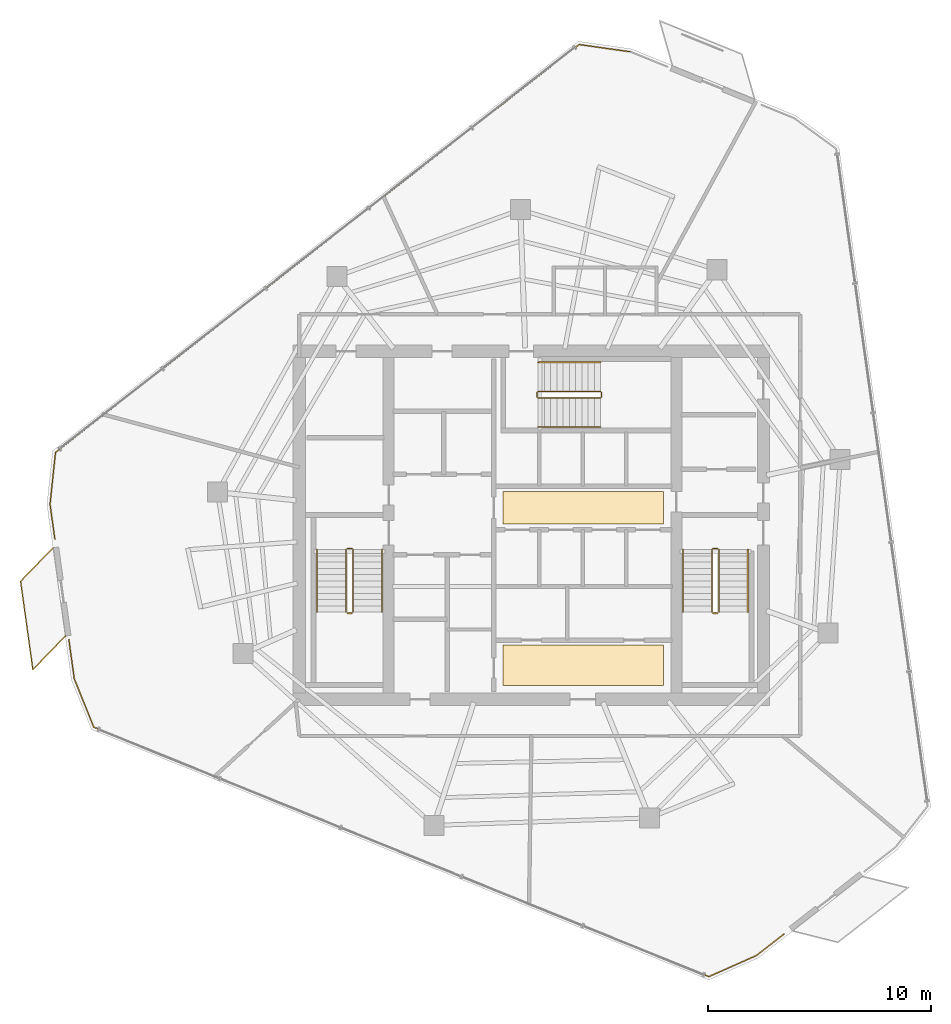
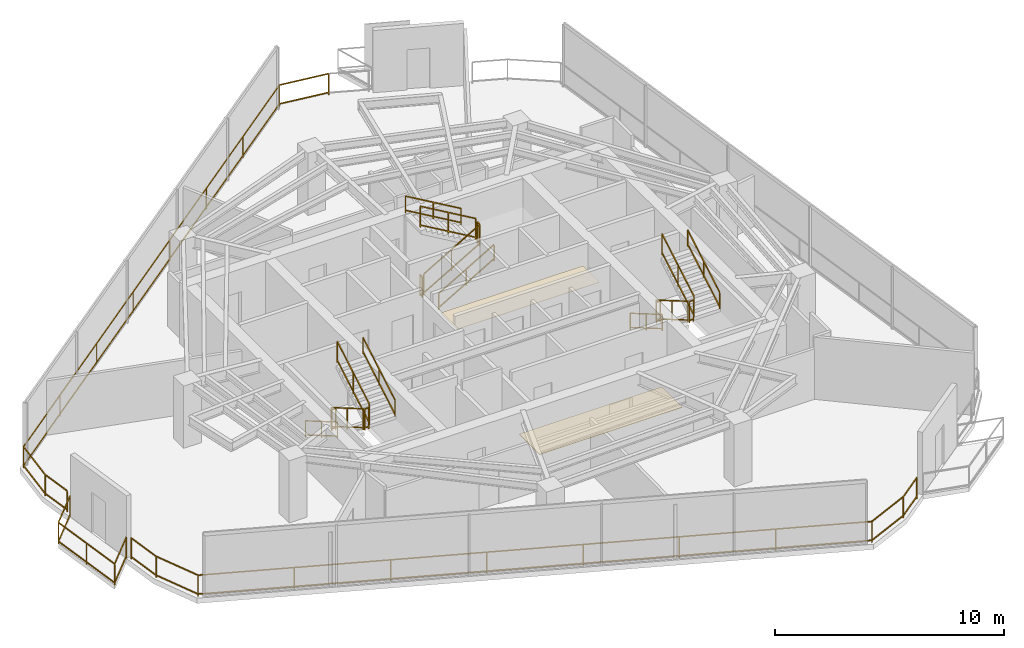
# One storey, part 18 of 19: 21 railings, 2 coverings.
"""IFC4 building model written with IfcOpenShell, lengths in metres."""

import ifcopenshell
import ifcopenshell.guid

model = None  # the IFC model being written
_history = None  # IfcOwnerHistory: only IFC2X3 demands one
_inside = {}  # id of a spatial element -> (the spatial element, [elements in it])
_under = {}  # id of a project, library or spatial element -> (it, [spatial elements below it])
_declared = {}  # id of a project -> (the project, [libraries it declares])
_typed = {}  # id of a type object -> (the type object, [elements of that type])
_made_of = {}  # id of a material, layer set ... -> (it, [elements and type objects made of it])


def new_model(schema):
    """Start an empty IFC model of exactly this schema.

    Asked for "IFC4X3", IfcOpenShell would pick the latest addendum, in which some entities
    have other attributes; the version numbers below select the first issue.
    IFC2X3 requires an IfcOwnerHistory on every rooted entity: one is made here for all.
    """
    global model, _history
    if schema == "IFC4X3":
        model = ifcopenshell.file(schema_version=(4, 3, 0, 0))
    else:
        model = ifcopenshell.file(schema=schema)
    _inside.clear()
    _under.clear()
    _declared.clear()
    _typed.clear()
    _made_of.clear()
    _history = None
    if model.schema == "IFC2X3":
        org = make("IfcOrganization", Name="unknown")
        user = make(
            "IfcPersonAndOrganization",
            ThePerson=make("IfcPerson", FamilyName="unknown"),
            TheOrganization=org,
        )
        app = make(
            "IfcApplication",
            ApplicationDeveloper=org,
            Version="unknown",
            ApplicationFullName="unknown",
            ApplicationIdentifier="unknown",
        )
        _history = make(
            "IfcOwnerHistory",
            OwningUser=user,
            OwningApplication=app,
            ChangeAction="ADDED",
            CreationDate=0,
        )
    return model


def make(cls, **values):
    """One entity of the class cls with the attributes given. An attribute that is None is left unset."""
    return model.create_entity(
        cls, **{name: value for name, value in values.items() if value is not None}
    )


def rooted(cls, **values):
    """An entity with a GlobalId (a new one), such as an element, a storey or a relation."""
    return make(cls, GlobalId=ifcopenshell.guid.new(), OwnerHistory=_history, **values)


def si_unit(unit_type, name, prefix=None):
    """IfcSIUnit, for example si_unit("LENGTHUNIT", "METRE", prefix="MILLI")."""
    return make("IfcSIUnit", UnitType=unit_type, Prefix=prefix, Name=name)


def assignment(units):
    """IfcUnitAssignment: the units of a project."""
    return None if units is None else make("IfcUnitAssignment", Units=units)


def point(xyz):
    """IfcCartesianPoint."""
    return None if xyz is None else make("IfcCartesianPoint", Coordinates=xyz)


def direction(xyz):
    """IfcDirection."""
    return None if xyz is None else make("IfcDirection", DirectionRatios=xyz)


def frame(location, z_axis=None, x_axis=None):
    """IfcAxis2Placement3D, a coordinate frame: its origin and axes. An axis left out is left unset."""
    return make(
        "IfcAxis2Placement3D",
        Location=point(location),
        Axis=direction(z_axis),
        RefDirection=direction(x_axis),
    )


def frame_2d(location, x_axis=None):
    """IfcAxis2Placement2D, a coordinate frame in the plane: its origin and x axis."""
    return make(
        "IfcAxis2Placement2D", Location=point(location), RefDirection=direction(x_axis)
    )


def origin():
    """The frame at (0, 0, 0) with its axes left unset."""
    return frame((0.0, 0.0, 0.0))


def origin_2d():
    """The frame at (0, 0) in the plane with its x axis left unset."""
    return frame_2d((0.0, 0.0))


def place(relative_to, where):
    """IfcLocalPlacement: puts the frame where relative to a parent placement (None: the world)."""
    return make(
        "IfcLocalPlacement", PlacementRelTo=relative_to, RelativePlacement=where
    )


def context(
    kind, dimensions, precision=None, world=None, true_north=None, identifier=None
):
    """IfcGeometricRepresentationContext, for example the 3D "Model" context."""
    return make(
        "IfcGeometricRepresentationContext",
        ContextIdentifier=identifier,
        ContextType=kind,
        CoordinateSpaceDimension=dimensions,
        Precision=precision,
        WorldCoordinateSystem=world,
        TrueNorth=true_north,
    )


def subcontext(parent, identifier, kind, view, scale=None):
    """IfcGeometricRepresentationSubContext, for example "Body" below "Model"."""
    return make(
        "IfcGeometricRepresentationSubContext",
        ContextIdentifier=identifier,
        ContextType=kind,
        ParentContext=parent,
        TargetScale=scale,
        TargetView=view,
    )


def project(units=None, contexts=None):
    """IfcProject with its units and contexts."""
    return rooted(
        "IfcProject",
        Name="project",
        RepresentationContexts=contexts,
        UnitsInContext=assignment(units),
    )


def spatial(cls, under=None, at=None, **own):
    """A site, building, storey or space (cls), placed at a placement, below another one or the project."""
    s = rooted(cls, ObjectPlacement=at, **own)
    if under is not None:
        _under.setdefault(under.id(), (under, []))[1].append(s)
    return s


def profile(cls, at=None, kind="AREA", **sizes):
    """A parametric profile (cls). Its sizes go by their IFC names, for example OverallWidth=200.0."""
    return make(cls, ProfileType=kind, Position=at, **sizes)


def rectangle(**sizes):
    """IfcRectangleProfileDef."""
    return profile("IfcRectangleProfileDef", **sizes)


def extrude(swept, where, along, depth):
    """IfcExtrudedAreaSolid: the profile swept, set in the frame where, extruded along a direction by depth."""
    return make(
        "IfcExtrudedAreaSolid",
        SweptArea=swept,
        Position=where,
        ExtrudedDirection=direction(along),
        Depth=depth,
    )


def shape(context_of_items, identifier, shape_type, items):
    """IfcShapeRepresentation: the items that make up one representation, for example the "Body"."""
    return make(
        "IfcShapeRepresentation",
        ContextOfItems=context_of_items,
        RepresentationIdentifier=identifier,
        RepresentationType=shape_type,
        Items=items,
    )


def material(Name=None, Category=None):
    """IfcMaterial."""
    return make("IfcMaterial", Name=Name, Category=Category)


def layer(
    of_material, thickness, ventilated=None, Name=None, Category=None, Priority=None
):
    """IfcMaterialLayer: one layer of a wall or slab, of a material (None: an air gap)."""
    return make(
        "IfcMaterialLayer",
        Material=of_material,
        LayerThickness=thickness,
        IsVentilated=ventilated,
        Name=Name,
        Category=Category,
        Priority=Priority,
    )


def layer_set(layers, Name=None):
    """IfcMaterialLayerSet."""
    return make("IfcMaterialLayerSet", MaterialLayers=layers, LayerSetName=Name)


def made_of(thing, what):
    """Note that an element or type object is made of a material, layer set ...; save() writes the relation."""
    if what is not None:
        _made_of.setdefault(what.id(), (what, []))[1].append(thing)
    return thing


def type_object(cls, material=None, **own):
    """A type object (cls), such as IfcWallType, which elements share."""
    return made_of(rooted(cls, **own), material)


def element(
    cls,
    number,
    at=None,
    inside=None,
    cuts=None,
    type_object=None,
    material=None,
    context=None,
    identifier="Body",
    shape_type=None,
    held_by="IfcProductDefinitionShape",
    body=None,
    shapes=None,
    **own,
):
    """One element of the class cls, such as IfcWall. Its Tag is "e" and its number.

    at: its placement. inside: the storey or other place that contains it. cuts: it is an
    opening in that element (IfcRelVoidsElement). A single representation is given by context,
    identifier, shape_type and body (its items); several are given by shapes. held_by: the class
    of the entity that holds the representations. save() writes the other relations.
    """
    e = rooted(cls, Tag="e%d" % number, ObjectPlacement=at, **own)
    if body is not None:
        shapes = [shape(context, identifier, shape_type, body)]
    if shapes is not None:
        e.Representation = make(held_by, Representations=shapes)
    if inside is not None:
        _inside.setdefault(inside.id(), (inside, []))[1].append(e)
    if cuts is not None:
        rooted(
            "IfcRelVoidsElement", RelatingBuildingElement=cuts, RelatedOpeningElement=e
        )
    if type_object is not None:
        _typed.setdefault(type_object.id(), (type_object, []))[1].append(e)
    return made_of(e, material)


def aggregate(whole, parts):
    """IfcRelAggregates: a whole, such as a stair, and the parts it consists of."""
    return rooted("IfcRelAggregates", RelatingObject=whole, RelatedObjects=parts)


def save(model, path):
    """Write the relations noted so far, then the file.

    IfcRelAggregates (storeys below a building ...), IfcRelContainedInSpatialStructure (elements
    in a storey), IfcRelDefinesByType, IfcRelAssociatesMaterial and IfcRelDeclares: one each for
    every whole, place, type object, material and project.
    """
    for whole, parts in _under.values():
        aggregate(whole, parts)
    for where, things in _inside.values():
        rooted(
            "IfcRelContainedInSpatialStructure",
            RelatedElements=things,
            RelatingStructure=where,
        )
    for kind, things in _typed.values():
        rooted("IfcRelDefinesByType", RelatedObjects=things, RelatingType=kind)
    for what, things in _made_of.values():
        rooted("IfcRelAssociatesMaterial", RelatedObjects=things, RelatingMaterial=what)
    for by, libraries in _declared.values():
        rooted("IfcRelDeclares", RelatingContext=by, RelatedDefinitions=libraries)
    model.write(path)


model = new_model("IFC4")

# Units and contexts
model_context = context("Model", 3, precision=1e-05, world=origin(), true_north=direction((0.0, 1.0)))
body_context = subcontext(model_context, "Body", "Model", "MODEL_VIEW")
ifc_project = project(units=[si_unit("LENGTHUNIT", "METRE"), si_unit("AREAUNIT", "SQUARE_METRE"), si_unit("VOLUMEUNIT", "CUBIC_METRE"), si_unit("PLANEANGLEUNIT", "RADIAN"), si_unit("MASSUNIT", "GRAM", prefix="KILO")], contexts=[model_context])

# Site, building, storey
site_placement = place(None, origin())
site = spatial("IfcSite", under=ifc_project, at=site_placement, CompositionType="ELEMENT")
building_placement = place(site_placement, origin())
building = spatial("IfcBuilding", under=site, at=building_placement, Name="Qarnah Convention Tower", CompositionType="ELEMENT")
storey_placement = place(building_placement, frame((0.0, 0.0, 209.39990234375)))
storey = spatial("IfcBuildingStorey", under=building, at=storey_placement, Name="L56", CompositionType="ELEMENT", Elevation=209.39990234375)

# Coverings
ifc_material_1 = material(Name="Mineral fibre acoustic ceiling")
ifc_layer_1 = layer(ifc_material_1, 0.02001953125)
ifc_layer_set_1 = layer_set([ifc_layer_1], Name="Mineral fibre acoustic ceiling")
covering_type_1 = type_object("IfcCoveringType", Name="COV-CEIL-20", PredefinedType="CEILING", material=ifc_layer_set_1)
covering_1_placement = place(storey_placement, frame((39.52001953125, 27.179931640625, 2.2900390625), z_axis=(0.0, 0.0, 1.0), x_axis=(1.0, 0.0, 0.0)))
element("IfcCovering", 1, at=covering_1_placement, inside=storey, type_object=covering_type_1, Name="L56 lift lobby acoustic ceiling", PredefinedType="CEILING", context=body_context, shape_type="SweptSolid", body=[
    extrude(rectangle(XDim=7.199951171875, YDim=1.449951171875, at=origin_2d()), origin(), (0.0, 0.0, 1.0), 0.02001953125),
])
ifc_material_2 = material(Name="Porcelain stone floor tile", Category="masonry")
ifc_layer_2 = layer(ifc_material_2, 0.02001953125)
ifc_layer_set_2 = layer_set([ifc_layer_2], Name="Porcelain stone floor tile")
covering_type_2 = type_object("IfcCoveringType", Name="COV-FLOOR-20", PredefinedType="FLOORING", material=ifc_layer_set_2)
covering_2_placement = place(storey_placement, frame((39.52001953125, 20.1201171875, 0.0), z_axis=(0.0, 0.0, 1.0), x_axis=(1.0, 0.0, 0.0)))
element("IfcCovering", 2, at=covering_2_placement, inside=storey, type_object=covering_type_2, Name="L56 lift lobby porcelain stone flooring", PredefinedType="FLOORING", context=body_context, shape_type="SweptSolid", body=[
    extrude(rectangle(XDim=7.199951171875, YDim=1.800048828125, at=origin_2d()), origin(), (0.0, 0.0, 1.0), 0.02001953125),
])

# Railings
ifc_material_3 = material(Name="Black anodised aluminium", Category="aluminium")
railing_type_1 = type_object("IfcRailingType", Name="RL-EXT-GUARD-1150", PredefinedType="GUARDRAIL", material=ifc_material_3)
railing_1_placement = place(storey_placement, frame((48.52294921875, 8.072021484375, 0.0)))
element("IfcRailing", 3, at=railing_1_placement, inside=storey, type_object=railing_type_1, Name="L56 slab-edge perimeter safety guard 03", PredefinedType="GUARDRAIL", context=body_context, shape_type="SweptSolid", body=[
    extrude(rectangle(XDim=0.048095703125, YDim=0.048095703125, at=origin_2d()), frame((0.0, 0.0, 1.1259765625), z_axis=(-0.788898487964, -0.614523535504, 0.0), x_axis=(0.614523535504, -0.788898487964, 0.0)), (0.0, 0.0, 1.0), 1.565185546875),
    extrude(rectangle(XDim=0.048095703125, YDim=0.048095703125, at=origin_2d()), frame((0.0, 0.0, 0.1201171875), z_axis=(-0.788898487964, -0.614523535504, 0.0), x_axis=(0.614523535504, -0.788898487964, 0.0)), (0.0, 0.0, 1.0), 1.565185546875),
    extrude(rectangle(XDim=0.048095703125, YDim=0.048095703125, at=origin_2d()), frame((-1.23486328125, -0.9619140625, 1.1259765625), z_axis=(-0.914057402496, -0.405584843086, 0.0), x_axis=(0.405584843086, -0.914057402496, 0.0)), (0.0, 0.0, 1.0), 2.33251953125),
    extrude(rectangle(XDim=0.048095703125, YDim=0.048095703125, at=origin_2d()), frame((-1.23486328125, -0.9619140625, 0.1201171875), z_axis=(-0.914057402496, -0.405584843086, 0.0), x_axis=(0.405584843086, -0.914057402496, 0.0)), (0.0, 0.0, 1.0), 2.33251953125),
    extrude(rectangle(XDim=0.048095703125, YDim=0.048095703125, at=origin_2d()), frame((-3.366943359375, -1.907958984375, 1.1259765625), z_axis=(-0.926673778212, 0.375866610348, 0.0), x_axis=(-0.375866610348, -0.926673778212, 0.0)), (0.0, 0.0, 1.0), 29.7548828125),
    extrude(rectangle(XDim=0.048095703125, YDim=0.048095703125, at=origin_2d()), frame((-3.366943359375, -1.907958984375, 0.1201171875), z_axis=(-0.926673778212, 0.375866610348, 0.0), x_axis=(-0.375866610348, -0.926673778212, 0.0)), (0.0, 0.0, 1.0), 29.7548828125),
    extrude(rectangle(XDim=0.048095703125, YDim=0.048095703125, at=origin_2d()), frame((-30.93994140625, 9.27587890625, 1.1259765625), z_axis=(-0.373410729879, 0.927666118176, 0.0), x_axis=(-0.927666118176, -0.373410729879, 0.0)), (0.0, 0.0, 1.0), 2.332763671875),
    extrude(rectangle(XDim=0.048095703125, YDim=0.048095703125, at=origin_2d()), frame((-30.93994140625, 9.27587890625, 0.1201171875), z_axis=(-0.373410729879, 0.927666118176, 0.0), x_axis=(-0.927666118176, -0.373410729879, 0.0)), (0.0, 0.0, 1.0), 2.332763671875),
    extrude(rectangle(XDim=0.048095703125, YDim=0.048095703125, at=origin_2d()), frame((-31.81103515625, 11.43994140625, 1.1259765625), z_axis=(-0.13726506007, 0.9905343524, 0.0), x_axis=(-0.9905343524, -0.13726506007, 0.0)), (0.0, 0.0, 1.0), 1.77685546875),
    extrude(rectangle(XDim=0.048095703125, YDim=0.048095703125, at=origin_2d()), frame((-31.81103515625, 11.43994140625, 0.1201171875), z_axis=(-0.13726506007, 0.9905343524, 0.0), x_axis=(-0.9905343524, -0.13726506007, 0.0)), (0.0, 0.0, 1.0), 1.77685546875),
    extrude(rectangle(XDim=0.0419921875, YDim=0.0419921875, at=origin_2d()), origin(), (0.0, 0.0, 1.0), 1.101806640625),
    extrude(rectangle(XDim=0.0419921875, YDim=0.0419921875, at=origin_2d()), frame((-1.23486328125, -0.9619140625, 0.0)), (0.0, 0.0, 1.0), 1.101806640625),
    extrude(rectangle(XDim=0.0419921875, YDim=0.0419921875, at=origin_2d()), frame((-3.366943359375, -1.907958984375, 0.0)), (0.0, 0.0, 1.0), 1.101806640625),
    extrude(rectangle(XDim=0.0419921875, YDim=0.0419921875, at=origin_2d()), frame((-7.305908203125, -0.310302734375, 0.0)), (0.0, 0.0, 1.0), 1.101806640625),
    extrude(rectangle(XDim=0.0419921875, YDim=0.0419921875, at=origin_2d()), frame((-11.244873046875, 1.287353515625, 0.0)), (0.0, 0.0, 1.0), 1.101806640625),
    extrude(rectangle(XDim=0.0419921875, YDim=0.0419921875, at=origin_2d()), frame((-15.183837890625, 2.885009765625, 0.0)), (0.0, 0.0, 1.0), 1.101806640625),
    extrude(rectangle(XDim=0.0419921875, YDim=0.0419921875, at=origin_2d()), frame((-19.123046875, 4.48291015625, 0.0)), (0.0, 0.0, 1.0), 1.101806640625),
    extrude(rectangle(XDim=0.0419921875, YDim=0.0419921875, at=origin_2d()), frame((-23.06201171875, 6.08056640625, 0.0)), (0.0, 0.0, 1.0), 1.101806640625),
    extrude(rectangle(XDim=0.0419921875, YDim=0.0419921875, at=origin_2d()), frame((-27.0009765625, 7.67822265625, 0.0)), (0.0, 0.0, 1.0), 1.101806640625),
    extrude(rectangle(XDim=0.0419921875, YDim=0.0419921875, at=origin_2d()), frame((-30.93994140625, 9.27587890625, 0.0)), (0.0, 0.0, 1.0), 1.101806640625),
    extrude(rectangle(XDim=0.0419921875, YDim=0.0419921875, at=origin_2d()), frame((-31.81103515625, 11.43994140625, 0.0)), (0.0, 0.0, 1.0), 1.101806640625),
    extrude(rectangle(XDim=0.0419921875, YDim=0.0419921875, at=origin_2d()), frame((-32.054931640625, 13.199951171875, 0.0)), (0.0, 0.0, 1.0), 1.101806640625),
])
railing_2_placement = place(storey_placement, frame((15.840087890625, 25.785888671875, 0.0)))
element("IfcRailing", 4, at=railing_2_placement, inside=storey, type_object=railing_type_1, Name="L56 slab-edge perimeter safety guard 04", PredefinedType="GUARDRAIL", context=body_context, shape_type="SweptSolid", body=[
    extrude(rectangle(XDim=0.048095703125, YDim=0.048095703125, at=origin_2d()), frame((0.0, 0.0, 1.1259765625), z_axis=(-0.137971978209, 0.990436132837, 0.0), x_axis=(-0.990436132837, -0.137971978209, 0.0)), (0.0, 0.0, 1.0), 1.56591796875),
    extrude(rectangle(XDim=0.048095703125, YDim=0.048095703125, at=origin_2d()), frame((0.0, 0.0, 0.1201171875), z_axis=(-0.137971978209, 0.990436132837, 0.0), x_axis=(-0.990436132837, -0.137971978209, 0.0)), (0.0, 0.0, 1.0), 1.56591796875),
    extrude(rectangle(XDim=0.048095703125, YDim=0.048095703125, at=origin_2d()), frame((-0.216064453125, 1.551025390625, 1.1259765625), z_axis=(0.105893924125, 0.99437743178, 0.0), x_axis=(-0.99437743178, 0.105893924125, 0.0)), (0.0, 0.0, 1.0), 2.333251953125),
    extrude(rectangle(XDim=0.048095703125, YDim=0.048095703125, at=origin_2d()), frame((-0.216064453125, 1.551025390625, 0.1201171875), z_axis=(0.105893924125, 0.99437743178, 0.0), x_axis=(-0.99437743178, 0.105893924125, 0.0)), (0.0, 0.0, 1.0), 2.333251953125),
    extrude(rectangle(XDim=0.048095703125, YDim=0.048095703125, at=origin_2d()), frame((0.031005859375, 3.87109375, 1.1259765625), z_axis=(0.788860217678, 0.61457266207, 0.0), x_axis=(-0.61457266207, 0.788860217678, 0.0)), (0.0, 0.0, 1.0), 29.754150390625),
    extrude(rectangle(XDim=0.048095703125, YDim=0.048095703125, at=origin_2d()), frame((0.031005859375, 3.87109375, 0.1201171875), z_axis=(0.788860217678, 0.61457266207, 0.0), x_axis=(-0.61457266207, 0.788860217678, 0.0)), (0.0, 0.0, 1.0), 29.754150390625),
    extrude(rectangle(XDim=0.048095703125, YDim=0.048095703125, at=origin_2d()), frame((23.5029296875, 22.1572265625, 1.1259765625), z_axis=(0.990053901464, -0.140688564556, 0.0), x_axis=(0.140688564556, 0.990053901464, 0.0)), (0.0, 0.0, 1.0), 2.332275390625),
    extrude(rectangle(XDim=0.048095703125, YDim=0.048095703125, at=origin_2d()), frame((23.5029296875, 22.1572265625, 0.1201171875), z_axis=(0.990053901464, -0.140688564556, 0.0), x_axis=(0.140688564556, 0.990053901464, 0.0)), (0.0, 0.0, 1.0), 2.332275390625),
    extrude(rectangle(XDim=0.0419921875, YDim=0.0419921875, at=origin_2d()), origin(), (0.0, 0.0, 1.0), 1.101806640625),
    extrude(rectangle(XDim=0.0419921875, YDim=0.0419921875, at=origin_2d()), frame((-0.216064453125, 1.551025390625, 0.0)), (0.0, 0.0, 1.0), 1.101806640625),
    extrude(rectangle(XDim=0.0419921875, YDim=0.0419921875, at=origin_2d()), frame((0.031005859375, 3.87109375, 0.0)), (0.0, 0.0, 1.0), 1.101806640625),
    extrude(rectangle(XDim=0.0419921875, YDim=0.0419921875, at=origin_2d()), frame((3.384033203125, 6.4833984375, 0.0)), (0.0, 0.0, 1.0), 1.101806640625),
    extrude(rectangle(XDim=0.0419921875, YDim=0.0419921875, at=origin_2d()), frame((6.7373046875, 9.095703125, 0.0)), (0.0, 0.0, 1.0), 1.101806640625),
    extrude(rectangle(XDim=0.0419921875, YDim=0.0419921875, at=origin_2d()), frame((10.09033203125, 11.7080078125, 0.0)), (0.0, 0.0, 1.0), 1.101806640625),
    extrude(rectangle(XDim=0.0419921875, YDim=0.0419921875, at=origin_2d()), frame((13.443603515625, 14.3203125, 0.0)), (0.0, 0.0, 1.0), 1.101806640625),
    extrude(rectangle(XDim=0.0419921875, YDim=0.0419921875, at=origin_2d()), frame((16.796630859375, 16.9326171875, 0.0)), (0.0, 0.0, 1.0), 1.101806640625),
    extrude(rectangle(XDim=0.0419921875, YDim=0.0419921875, at=origin_2d()), frame((20.14990234375, 19.544921875, 0.0)), (0.0, 0.0, 1.0), 1.101806640625),
    extrude(rectangle(XDim=0.0419921875, YDim=0.0419921875, at=origin_2d()), frame((23.5029296875, 22.1572265625, 0.0)), (0.0, 0.0, 1.0), 1.101806640625),
    extrude(rectangle(XDim=0.0419921875, YDim=0.0419921875, at=origin_2d()), frame((25.81201171875, 21.8291015625, 0.0)), (0.0, 0.0, 1.0), 1.101806640625),
])
railing_3_placement = place(storey_placement, frame((16.31005859375, 21.425048828125, 0.0)))
element("IfcRailing", 5, at=railing_3_placement, inside=storey, type_object=railing_type_1, Name="L56 balcony safety guard BAL-L56-C2", PredefinedType="GUARDRAIL", context=body_context, shape_type="SweptSolid", body=[
    extrude(rectangle(XDim=0.048095703125, YDim=0.048095703125, at=origin_2d()), frame((0.0, 0.0, 1.1259765625), z_axis=(-0.695767023949, -0.718267532599, 0.0), x_axis=(0.718267532599, -0.695767023949, 0.0)), (0.0, 0.0, 1.0), 2.09423828125),
    extrude(rectangle(XDim=0.048095703125, YDim=0.048095703125, at=origin_2d()), frame((0.0, 0.0, 0.1201171875), z_axis=(-0.695767023949, -0.718267532599, 0.0), x_axis=(0.718267532599, -0.695767023949, 0.0)), (0.0, 0.0, 1.0), 2.09423828125),
    extrude(rectangle(XDim=0.048095703125, YDim=0.048095703125, at=origin_2d()), frame((-1.45703125, -1.504150390625, 1.1259765625), z_axis=(-0.137746332968, 0.99046753998, 0.0), x_axis=(-0.99046753998, -0.137746332968, 0.0)), (0.0, 0.0, 1.0), 4.000244140625),
    extrude(rectangle(XDim=0.048095703125, YDim=0.048095703125, at=origin_2d()), frame((-1.45703125, -1.504150390625, 0.1201171875), z_axis=(-0.137746332968, 0.99046753998, 0.0), x_axis=(-0.99046753998, -0.137746332968, 0.0)), (0.0, 0.0, 1.0), 4.000244140625),
    extrude(rectangle(XDim=0.048095703125, YDim=0.048095703125, at=origin_2d()), frame((-2.008056640625, 2.4580078125, 1.1259765625), z_axis=(0.6958252885, 0.718211088666, 0.0), x_axis=(-0.718211088666, 0.6958252885, 0.0)), (0.0, 0.0, 1.0), 2.093994140625),
    extrude(rectangle(XDim=0.048095703125, YDim=0.048095703125, at=origin_2d()), frame((-2.008056640625, 2.4580078125, 0.1201171875), z_axis=(0.6958252885, 0.718211088666, 0.0), x_axis=(-0.718211088666, 0.6958252885, 0.0)), (0.0, 0.0, 1.0), 2.093994140625),
    extrude(rectangle(XDim=0.0419921875, YDim=0.0419921875, at=origin_2d()), origin(), (0.0, 0.0, 1.0), 1.101806640625),
    extrude(rectangle(XDim=0.0419921875, YDim=0.0419921875, at=origin_2d()), frame((-1.45703125, -1.504150390625, 0.0)), (0.0, 0.0, 1.0), 1.101806640625),
    extrude(rectangle(XDim=0.0419921875, YDim=0.0419921875, at=origin_2d()), frame((-1.732421875, 0.47705078125, 0.0)), (0.0, 0.0, 1.0), 1.101806640625),
    extrude(rectangle(XDim=0.0419921875, YDim=0.0419921875, at=origin_2d()), frame((-2.008056640625, 2.4580078125, 0.0)), (0.0, 0.0, 1.0), 1.101806640625),
    extrude(rectangle(XDim=0.0419921875, YDim=0.0419921875, at=origin_2d()), frame((-0.551025390625, 3.9619140625, 0.0)), (0.0, 0.0, 1.0), 1.101806640625),
])
ifc_material_4 = material(Name="Structural steel S355JR", Category="steel")
railing_type_2 = type_object("IfcRailingType", Name="RL-STAIR-GUARD-1150", PredefinedType="GUARDRAIL", material=ifc_material_4)
railing_4_placement = place(storey_placement, frame((28.89990234375, 25.300048828125, 0.163818359375)))
element("IfcRailing", 6, at=railing_4_placement, inside=storey, type_object=railing_type_2, Name="L56 ST-1 stair guard 1", PredefinedType="GUARDRAIL", context=body_context, shape_type="SweptSolid", body=[
    extrude(rectangle(XDim=0.048095703125, YDim=0.048095703125, at=origin_2d()), frame((0.0, 0.0, 1.1259765625), z_axis=(0.0, -0.863393664356, 0.504530851732), x_axis=(1.0, 0.0, 0.0)), (0.0, 0.0, 1.0), 3.2431640625),
    extrude(rectangle(XDim=0.048095703125, YDim=0.048095703125, at=origin_2d()), frame((0.0, 0.0, 0.1201171875), z_axis=(0.0, -0.863393664356, 0.504530851732), x_axis=(1.0, 0.0, 0.0)), (0.0, 0.0, 1.0), 3.2431640625),
    extrude(rectangle(XDim=0.0419921875, YDim=0.0419921875, at=origin_2d()), origin(), (0.0, 0.0, 1.0), 1.101806640625),
    extrude(rectangle(XDim=0.0419921875, YDim=0.0419921875, at=origin_2d()), frame((0.0, -1.39990234375, 0.818115234375)), (0.0, 0.0, 1.0), 1.101806640625),
    extrude(rectangle(XDim=0.0419921875, YDim=0.0419921875, at=origin_2d()), frame((0.0, -2.800048828125, 1.63623046875)), (0.0, 0.0, 1.0), 1.101806640625),
])
railing_5_placement = place(storey_placement, frame((28.949951171875, 22.449951171875, 1.800048828125)))
element("IfcRailing", 7, at=railing_5_placement, inside=storey, type_object=railing_type_2, Name="L56 ST-1 stair guard 2", PredefinedType="GUARDRAIL", context=body_context, shape_type="SweptSolid", body=[
    extrude(rectangle(XDim=0.048095703125, YDim=0.048095703125, at=origin_2d()), frame((0.0, 0.0, 1.1259765625), z_axis=(1.0, 0.0, 0.0), x_axis=(0.0, 1.0, 0.0)), (0.0, 0.0, 1.0), 0.199951171875),
    extrude(rectangle(XDim=0.048095703125, YDim=0.048095703125, at=origin_2d()), frame((0.0, 0.0, 0.1201171875), z_axis=(1.0, 0.0, 0.0), x_axis=(0.0, 1.0, 0.0)), (0.0, 0.0, 1.0), 0.199951171875),
    extrude(rectangle(XDim=0.0419921875, YDim=0.0419921875, at=origin_2d()), origin(), (0.0, 0.0, 1.0), 1.101806640625),
    extrude(rectangle(XDim=0.0419921875, YDim=0.0419921875, at=origin_2d()), frame((0.199951171875, 0.0, 0.0)), (0.0, 0.0, 1.0), 1.101806640625),
])
railing_6_placement = place(storey_placement, frame((29.199951171875, 22.5, 1.963623046875)))
element("IfcRailing", 8, at=railing_6_placement, inside=storey, type_object=railing_type_2, Name="L56 ST-1 stair guard 3", PredefinedType="GUARDRAIL", context=body_context, shape_type="SweptSolid", body=[
    extrude(rectangle(XDim=0.048095703125, YDim=0.048095703125, at=origin_2d()), frame((0.0, 0.0, 1.1259765625), z_axis=(0.0, 0.863360870873, 0.504586966384), x_axis=(-1.0, 0.0, 0.0)), (0.0, 0.0, 1.0), 3.2431640625),
    extrude(rectangle(XDim=0.048095703125, YDim=0.048095703125, at=origin_2d()), frame((0.0, 0.0, 0.1201171875), z_axis=(0.0, 0.863360870873, 0.504586966384), x_axis=(-1.0, 0.0, 0.0)), (0.0, 0.0, 1.0), 3.2431640625),
    extrude(rectangle(XDim=0.0419921875, YDim=0.0419921875, at=origin_2d()), origin(), (0.0, 0.0, 1.0), 1.101806640625),
    extrude(rectangle(XDim=0.0419921875, YDim=0.0419921875, at=origin_2d()), frame((0.0, 1.39990234375, 0.818359375)), (0.0, 0.0, 1.0), 1.101806640625),
    extrude(rectangle(XDim=0.0419921875, YDim=0.0419921875, at=origin_2d()), frame((0.0, 2.800048828125, 1.636474609375)), (0.0, 0.0, 1.0), 1.101806640625),
])
railing_7_placement = place(storey_placement, frame((28.949951171875, 25.35009765625, 0.0)))
element("IfcRailing", 9, at=railing_7_placement, inside=storey, type_object=railing_type_2, Name="L56 ST-1 stair guard 4", PredefinedType="GUARDRAIL", context=body_context, shape_type="SweptSolid", body=[
    extrude(rectangle(XDim=0.048095703125, YDim=0.048095703125, at=origin_2d()), frame((0.0, 0.0, 1.1259765625), z_axis=(1.0, 0.0, 0.0), x_axis=(0.0, 1.0, 0.0)), (0.0, 0.0, 1.0), 0.199951171875),
    extrude(rectangle(XDim=0.048095703125, YDim=0.048095703125, at=origin_2d()), frame((0.0, 0.0, 0.1201171875), z_axis=(1.0, 0.0, 0.0), x_axis=(0.0, 1.0, 0.0)), (0.0, 0.0, 1.0), 0.199951171875),
    extrude(rectangle(XDim=0.0419921875, YDim=0.0419921875, at=origin_2d()), origin(), (0.0, 0.0, 1.0), 1.101806640625),
    extrude(rectangle(XDim=0.0419921875, YDim=0.0419921875, at=origin_2d()), frame((0.199951171875, 0.0, 0.0)), (0.0, 0.0, 1.0), 1.101806640625),
])
railing_8_placement = place(storey_placement, frame((45.300048828125, 25.300048828125, 0.163818359375)))
element("IfcRailing", 10, at=railing_8_placement, inside=storey, type_object=railing_type_2, Name="L56 ST-2 stair guard 1", PredefinedType="GUARDRAIL", context=body_context, shape_type="SweptSolid", body=[
    extrude(rectangle(XDim=0.048095703125, YDim=0.048095703125, at=origin_2d()), frame((0.0, 0.0, 1.1259765625), z_axis=(0.0, -0.863393664356, 0.504530851732), x_axis=(1.0, 0.0, 0.0)), (0.0, 0.0, 1.0), 3.2431640625),
    extrude(rectangle(XDim=0.048095703125, YDim=0.048095703125, at=origin_2d()), frame((0.0, 0.0, 0.1201171875), z_axis=(0.0, -0.863393664356, 0.504530851732), x_axis=(1.0, 0.0, 0.0)), (0.0, 0.0, 1.0), 3.2431640625),
    extrude(rectangle(XDim=0.0419921875, YDim=0.0419921875, at=origin_2d()), origin(), (0.0, 0.0, 1.0), 1.101806640625),
    extrude(rectangle(XDim=0.0419921875, YDim=0.0419921875, at=origin_2d()), frame((0.0, -1.39990234375, 0.818115234375)), (0.0, 0.0, 1.0), 1.101806640625),
    extrude(rectangle(XDim=0.0419921875, YDim=0.0419921875, at=origin_2d()), frame((0.0, -2.800048828125, 1.63623046875)), (0.0, 0.0, 1.0), 1.101806640625),
])
railing_9_placement = place(storey_placement, frame((45.35009765625, 22.449951171875, 1.800048828125)))
element("IfcRailing", 11, at=railing_9_placement, inside=storey, type_object=railing_type_2, Name="L56 ST-2 stair guard 2", PredefinedType="GUARDRAIL", context=body_context, shape_type="SweptSolid", body=[
    extrude(rectangle(XDim=0.048095703125, YDim=0.048095703125, at=origin_2d()), frame((0.0, 0.0, 1.1259765625), z_axis=(1.0, 0.0, 0.0), x_axis=(0.0, 1.0, 0.0)), (0.0, 0.0, 1.0), 0.199951171875),
    extrude(rectangle(XDim=0.048095703125, YDim=0.048095703125, at=origin_2d()), frame((0.0, 0.0, 0.1201171875), z_axis=(1.0, 0.0, 0.0), x_axis=(0.0, 1.0, 0.0)), (0.0, 0.0, 1.0), 0.199951171875),
    extrude(rectangle(XDim=0.0419921875, YDim=0.0419921875, at=origin_2d()), origin(), (0.0, 0.0, 1.0), 1.101806640625),
    extrude(rectangle(XDim=0.0419921875, YDim=0.0419921875, at=origin_2d()), frame((0.199951171875, 0.0, 0.0)), (0.0, 0.0, 1.0), 1.101806640625),
])
railing_10_placement = place(storey_placement, frame((45.60009765625, 22.5, 1.963623046875)))
element("IfcRailing", 12, at=railing_10_placement, inside=storey, type_object=railing_type_2, Name="L56 ST-2 stair guard 3", PredefinedType="GUARDRAIL", context=body_context, shape_type="SweptSolid", body=[
    extrude(rectangle(XDim=0.048095703125, YDim=0.048095703125, at=origin_2d()), frame((0.0, 0.0, 1.1259765625), z_axis=(0.0, 0.863360870873, 0.504586966384), x_axis=(-1.0, 0.0, 0.0)), (0.0, 0.0, 1.0), 3.2431640625),
    extrude(rectangle(XDim=0.048095703125, YDim=0.048095703125, at=origin_2d()), frame((0.0, 0.0, 0.1201171875), z_axis=(0.0, 0.863360870873, 0.504586966384), x_axis=(-1.0, 0.0, 0.0)), (0.0, 0.0, 1.0), 3.2431640625),
    extrude(rectangle(XDim=0.0419921875, YDim=0.0419921875, at=origin_2d()), origin(), (0.0, 0.0, 1.0), 1.101806640625),
    extrude(rectangle(XDim=0.0419921875, YDim=0.0419921875, at=origin_2d()), frame((0.0, 1.39990234375, 0.818359375)), (0.0, 0.0, 1.0), 1.101806640625),
    extrude(rectangle(XDim=0.0419921875, YDim=0.0419921875, at=origin_2d()), frame((0.0, 2.800048828125, 1.636474609375)), (0.0, 0.0, 1.0), 1.101806640625),
])
railing_11_placement = place(storey_placement, frame((45.35009765625, 25.35009765625, 0.0)))
element("IfcRailing", 13, at=railing_11_placement, inside=storey, type_object=railing_type_2, Name="L56 ST-2 stair guard 4", PredefinedType="GUARDRAIL", context=body_context, shape_type="SweptSolid", body=[
    extrude(rectangle(XDim=0.048095703125, YDim=0.048095703125, at=origin_2d()), frame((0.0, 0.0, 1.1259765625), z_axis=(1.0, 0.0, 0.0), x_axis=(0.0, 1.0, 0.0)), (0.0, 0.0, 1.0), 0.199951171875),
    extrude(rectangle(XDim=0.048095703125, YDim=0.048095703125, at=origin_2d()), frame((0.0, 0.0, 0.1201171875), z_axis=(1.0, 0.0, 0.0), x_axis=(0.0, 1.0, 0.0)), (0.0, 0.0, 1.0), 0.199951171875),
    extrude(rectangle(XDim=0.0419921875, YDim=0.0419921875, at=origin_2d()), origin(), (0.0, 0.0, 1.0), 1.101806640625),
    extrude(rectangle(XDim=0.0419921875, YDim=0.0419921875, at=origin_2d()), frame((0.199951171875, 0.0, 0.0)), (0.0, 0.0, 1.0), 1.101806640625),
])
railing_12_placement = place(storey_placement, frame((37.5, 32.10009765625, 0.163818359375)))
element("IfcRailing", 14, at=railing_12_placement, inside=storey, type_object=railing_type_2, Name="L56 ST-3 stair guard 1", PredefinedType="GUARDRAIL", context=body_context, shape_type="SweptSolid", body=[
    extrude(rectangle(XDim=0.048095703125, YDim=0.048095703125, at=origin_2d()), frame((0.0, 0.0, 1.1259765625), z_axis=(0.863393664356, 0.0, 0.504530851732), x_axis=(0.0, 1.0, 0.0)), (0.0, 0.0, 1.0), 3.2431640625),
    extrude(rectangle(XDim=0.048095703125, YDim=0.048095703125, at=origin_2d()), frame((0.0, 0.0, 0.1201171875), z_axis=(0.863393664356, 0.0, 0.504530851732), x_axis=(0.0, 1.0, 0.0)), (0.0, 0.0, 1.0), 3.2431640625),
    extrude(rectangle(XDim=0.0419921875, YDim=0.0419921875, at=origin_2d()), origin(), (0.0, 0.0, 1.0), 1.101806640625),
    extrude(rectangle(XDim=0.0419921875, YDim=0.0419921875, at=origin_2d()), frame((1.39990234375, 0.0, 0.818115234375)), (0.0, 0.0, 1.0), 1.101806640625),
    extrude(rectangle(XDim=0.0419921875, YDim=0.0419921875, at=origin_2d()), frame((2.800048828125, 0.0, 1.63623046875)), (0.0, 0.0, 1.0), 1.101806640625),
])
railing_13_placement = place(storey_placement, frame((40.35009765625, 32.14990234375, 1.800048828125)))
element("IfcRailing", 15, at=railing_13_placement, inside=storey, type_object=railing_type_2, Name="L56 ST-3 stair guard 2", PredefinedType="GUARDRAIL", context=body_context, shape_type="SweptSolid", body=[
    extrude(rectangle(XDim=0.048095703125, YDim=0.048095703125, at=origin_2d()), frame((0.0, 0.0, 1.1259765625), z_axis=(0.0, 1.0, 0.0), x_axis=(-1.0, 0.0, 0.0)), (0.0, 0.0, 1.0), 0.2001953125),
    extrude(rectangle(XDim=0.048095703125, YDim=0.048095703125, at=origin_2d()), frame((0.0, 0.0, 0.1201171875), z_axis=(0.0, 1.0, 0.0), x_axis=(-1.0, 0.0, 0.0)), (0.0, 0.0, 1.0), 0.2001953125),
    extrude(rectangle(XDim=0.0419921875, YDim=0.0419921875, at=origin_2d()), origin(), (0.0, 0.0, 1.0), 1.101806640625),
    extrude(rectangle(XDim=0.0419921875, YDim=0.0419921875, at=origin_2d()), frame((0.0, 0.2001953125, 0.0)), (0.0, 0.0, 1.0), 1.101806640625),
])
railing_14_placement = place(storey_placement, frame((40.300048828125, 32.39990234375, 1.963623046875)))
element("IfcRailing", 16, at=railing_14_placement, inside=storey, type_object=railing_type_2, Name="L56 ST-3 stair guard 3", PredefinedType="GUARDRAIL", context=body_context, shape_type="SweptSolid", body=[
    extrude(rectangle(XDim=0.048095703125, YDim=0.048095703125, at=origin_2d()), frame((0.0, 0.0, 1.1259765625), z_axis=(-0.863360870873, 0.0, 0.504586966384), x_axis=(0.0, -1.0, 0.0)), (0.0, 0.0, 1.0), 3.2431640625),
    extrude(rectangle(XDim=0.048095703125, YDim=0.048095703125, at=origin_2d()), frame((0.0, 0.0, 0.1201171875), z_axis=(-0.863360870873, 0.0, 0.504586966384), x_axis=(0.0, -1.0, 0.0)), (0.0, 0.0, 1.0), 3.2431640625),
    extrude(rectangle(XDim=0.0419921875, YDim=0.0419921875, at=origin_2d()), origin(), (0.0, 0.0, 1.0), 1.101806640625),
    extrude(rectangle(XDim=0.0419921875, YDim=0.0419921875, at=origin_2d()), frame((-1.39990234375, 0.0, 0.818359375)), (0.0, 0.0, 1.0), 1.101806640625),
    extrude(rectangle(XDim=0.0419921875, YDim=0.0419921875, at=origin_2d()), frame((-2.800048828125, 0.0, 1.636474609375)), (0.0, 0.0, 1.0), 1.101806640625),
])
railing_15_placement = place(storey_placement, frame((37.449951171875, 32.14990234375, 0.0)))
element("IfcRailing", 17, at=railing_15_placement, inside=storey, type_object=railing_type_2, Name="L56 ST-3 stair guard 4", PredefinedType="GUARDRAIL", context=body_context, shape_type="SweptSolid", body=[
    extrude(rectangle(XDim=0.048095703125, YDim=0.048095703125, at=origin_2d()), frame((0.0, 0.0, 1.1259765625), z_axis=(0.0, 1.0, 0.0), x_axis=(-1.0, 0.0, 0.0)), (0.0, 0.0, 1.0), 0.2001953125),
    extrude(rectangle(XDim=0.048095703125, YDim=0.048095703125, at=origin_2d()), frame((0.0, 0.0, 0.1201171875), z_axis=(0.0, 1.0, 0.0), x_axis=(-1.0, 0.0, 0.0)), (0.0, 0.0, 1.0), 0.2001953125),
    extrude(rectangle(XDim=0.0419921875, YDim=0.0419921875, at=origin_2d()), origin(), (0.0, 0.0, 1.0), 1.101806640625),
    extrude(rectangle(XDim=0.0419921875, YDim=0.0419921875, at=origin_2d()), frame((0.0, 0.2001953125, 0.0)), (0.0, 0.0, 1.0), 1.101806640625),
])
railing_type_3 = type_object("IfcRailingType", Name="RL-STAIR-HAND-900", PredefinedType="HANDRAIL", material=ifc_material_4)
railing_16_placement = place(storey_placement, frame((27.60009765625, 25.300048828125, 0.163818359375)))
element("IfcRailing", 18, at=railing_16_placement, inside=storey, type_object=railing_type_3, Name="L56 ST-1 stair handrail 1", PredefinedType="HANDRAIL", context=body_context, shape_type="SweptSolid", body=[
    extrude(rectangle(XDim=0.048095703125, YDim=0.048095703125, at=origin_2d()), frame((0.0, 0.0, 0.8759765625), z_axis=(0.0, -0.863393664356, 0.504530851732), x_axis=(1.0, 0.0, 0.0)), (0.0, 0.0, 1.0), 3.2431640625),
    extrude(rectangle(XDim=0.048095703125, YDim=0.048095703125, at=origin_2d()), frame((0.0, 0.0, 0.1201171875), z_axis=(0.0, -0.863393664356, 0.504530851732), x_axis=(1.0, 0.0, 0.0)), (0.0, 0.0, 1.0), 3.2431640625),
    extrude(rectangle(XDim=0.0419921875, YDim=0.0419921875, at=origin_2d()), origin(), (0.0, 0.0, 1.0), 0.851806640625),
    extrude(rectangle(XDim=0.0419921875, YDim=0.0419921875, at=origin_2d()), frame((0.0, -1.39990234375, 0.818115234375)), (0.0, 0.0, 1.0), 0.851806640625),
    extrude(rectangle(XDim=0.0419921875, YDim=0.0419921875, at=origin_2d()), frame((0.0, -2.800048828125, 1.63623046875)), (0.0, 0.0, 1.0), 0.851806640625),
])
railing_17_placement = place(storey_placement, frame((30.5, 22.5, 1.963623046875)))
element("IfcRailing", 19, at=railing_17_placement, inside=storey, type_object=railing_type_3, Name="L56 ST-1 stair handrail 2", PredefinedType="HANDRAIL", context=body_context, shape_type="SweptSolid", body=[
    extrude(rectangle(XDim=0.048095703125, YDim=0.048095703125, at=origin_2d()), frame((0.0, 0.0, 0.8759765625), z_axis=(0.0, 0.863360870873, 0.504586966384), x_axis=(-1.0, 0.0, 0.0)), (0.0, 0.0, 1.0), 3.2431640625),
    extrude(rectangle(XDim=0.048095703125, YDim=0.048095703125, at=origin_2d()), frame((0.0, 0.0, 0.1201171875), z_axis=(0.0, 0.863360870873, 0.504586966384), x_axis=(-1.0, 0.0, 0.0)), (0.0, 0.0, 1.0), 3.2431640625),
    extrude(rectangle(XDim=0.0419921875, YDim=0.0419921875, at=origin_2d()), origin(), (0.0, 0.0, 1.0), 0.851806640625),
    extrude(rectangle(XDim=0.0419921875, YDim=0.0419921875, at=origin_2d()), frame((0.0, 1.39990234375, 0.818359375)), (0.0, 0.0, 1.0), 0.851806640625),
    extrude(rectangle(XDim=0.0419921875, YDim=0.0419921875, at=origin_2d()), frame((0.0, 2.800048828125, 1.636474609375)), (0.0, 0.0, 1.0), 0.851806640625),
])
railing_18_placement = place(storey_placement, frame((44.0, 25.300048828125, 0.163818359375)))
element("IfcRailing", 20, at=railing_18_placement, inside=storey, type_object=railing_type_3, Name="L56 ST-2 stair handrail 1", PredefinedType="HANDRAIL", context=body_context, shape_type="SweptSolid", body=[
    extrude(rectangle(XDim=0.048095703125, YDim=0.048095703125, at=origin_2d()), frame((0.0, 0.0, 0.8759765625), z_axis=(0.0, -0.863393664356, 0.504530851732), x_axis=(1.0, 0.0, 0.0)), (0.0, 0.0, 1.0), 3.2431640625),
    extrude(rectangle(XDim=0.048095703125, YDim=0.048095703125, at=origin_2d()), frame((0.0, 0.0, 0.1201171875), z_axis=(0.0, -0.863393664356, 0.504530851732), x_axis=(1.0, 0.0, 0.0)), (0.0, 0.0, 1.0), 3.2431640625),
    extrude(rectangle(XDim=0.0419921875, YDim=0.0419921875, at=origin_2d()), origin(), (0.0, 0.0, 1.0), 0.851806640625),
    extrude(rectangle(XDim=0.0419921875, YDim=0.0419921875, at=origin_2d()), frame((0.0, -1.39990234375, 0.818115234375)), (0.0, 0.0, 1.0), 0.851806640625),
    extrude(rectangle(XDim=0.0419921875, YDim=0.0419921875, at=origin_2d()), frame((0.0, -2.800048828125, 1.63623046875)), (0.0, 0.0, 1.0), 0.851806640625),
])
railing_19_placement = place(storey_placement, frame((46.89990234375, 22.5, 1.963623046875)))
element("IfcRailing", 21, at=railing_19_placement, inside=storey, type_object=railing_type_3, Name="L56 ST-2 stair handrail 2", PredefinedType="HANDRAIL", context=body_context, shape_type="SweptSolid", body=[
    extrude(rectangle(XDim=0.048095703125, YDim=0.048095703125, at=origin_2d()), frame((0.0, 0.0, 0.8759765625), z_axis=(0.0, 0.863360870873, 0.504586966384), x_axis=(-1.0, 0.0, 0.0)), (0.0, 0.0, 1.0), 3.2431640625),
    extrude(rectangle(XDim=0.048095703125, YDim=0.048095703125, at=origin_2d()), frame((0.0, 0.0, 0.1201171875), z_axis=(0.0, 0.863360870873, 0.504586966384), x_axis=(-1.0, 0.0, 0.0)), (0.0, 0.0, 1.0), 3.2431640625),
    extrude(rectangle(XDim=0.0419921875, YDim=0.0419921875, at=origin_2d()), origin(), (0.0, 0.0, 1.0), 0.851806640625),
    extrude(rectangle(XDim=0.0419921875, YDim=0.0419921875, at=origin_2d()), frame((0.0, 1.39990234375, 0.818359375)), (0.0, 0.0, 1.0), 0.851806640625),
    extrude(rectangle(XDim=0.0419921875, YDim=0.0419921875, at=origin_2d()), frame((0.0, 2.800048828125, 1.636474609375)), (0.0, 0.0, 1.0), 0.851806640625),
])
railing_20_placement = place(storey_placement, frame((37.5, 30.800048828125, 0.163818359375)))
element("IfcRailing", 22, at=railing_20_placement, inside=storey, type_object=railing_type_3, Name="L56 ST-3 stair handrail 1", PredefinedType="HANDRAIL", context=body_context, shape_type="SweptSolid", body=[
    extrude(rectangle(XDim=0.048095703125, YDim=0.048095703125, at=origin_2d()), frame((0.0, 0.0, 0.8759765625), z_axis=(0.863393664356, 0.0, 0.504530851732), x_axis=(0.0, 1.0, 0.0)), (0.0, 0.0, 1.0), 3.2431640625),
    extrude(rectangle(XDim=0.048095703125, YDim=0.048095703125, at=origin_2d()), frame((0.0, 0.0, 0.1201171875), z_axis=(0.863393664356, 0.0, 0.504530851732), x_axis=(0.0, 1.0, 0.0)), (0.0, 0.0, 1.0), 3.2431640625),
    extrude(rectangle(XDim=0.0419921875, YDim=0.0419921875, at=origin_2d()), origin(), (0.0, 0.0, 1.0), 0.851806640625),
    extrude(rectangle(XDim=0.0419921875, YDim=0.0419921875, at=origin_2d()), frame((1.39990234375, 0.0, 0.818115234375)), (0.0, 0.0, 1.0), 0.851806640625),
    extrude(rectangle(XDim=0.0419921875, YDim=0.0419921875, at=origin_2d()), frame((2.800048828125, 0.0, 1.63623046875)), (0.0, 0.0, 1.0), 0.851806640625),
])
railing_21_placement = place(storey_placement, frame((40.300048828125, 33.699951171875, 1.963623046875)))
element("IfcRailing", 23, at=railing_21_placement, inside=storey, type_object=railing_type_3, Name="L56 ST-3 stair handrail 2", PredefinedType="HANDRAIL", context=body_context, shape_type="SweptSolid", body=[
    extrude(rectangle(XDim=0.048095703125, YDim=0.048095703125, at=origin_2d()), frame((0.0, 0.0, 0.8759765625), z_axis=(-0.863360870873, 0.0, 0.504586966384), x_axis=(0.0, -1.0, 0.0)), (0.0, 0.0, 1.0), 3.2431640625),
    extrude(rectangle(XDim=0.048095703125, YDim=0.048095703125, at=origin_2d()), frame((0.0, 0.0, 0.1201171875), z_axis=(-0.863360870873, 0.0, 0.504586966384), x_axis=(0.0, -1.0, 0.0)), (0.0, 0.0, 1.0), 3.2431640625),
    extrude(rectangle(XDim=0.0419921875, YDim=0.0419921875, at=origin_2d()), origin(), (0.0, 0.0, 1.0), 0.851806640625),
    extrude(rectangle(XDim=0.0419921875, YDim=0.0419921875, at=origin_2d()), frame((-1.39990234375, 0.0, 0.818359375)), (0.0, 0.0, 1.0), 0.851806640625),
    extrude(rectangle(XDim=0.0419921875, YDim=0.0419921875, at=origin_2d()), frame((-2.800048828125, 0.0, 1.636474609375)), (0.0, 0.0, 1.0), 0.851806640625),
])

save(model, "model.ifc")
